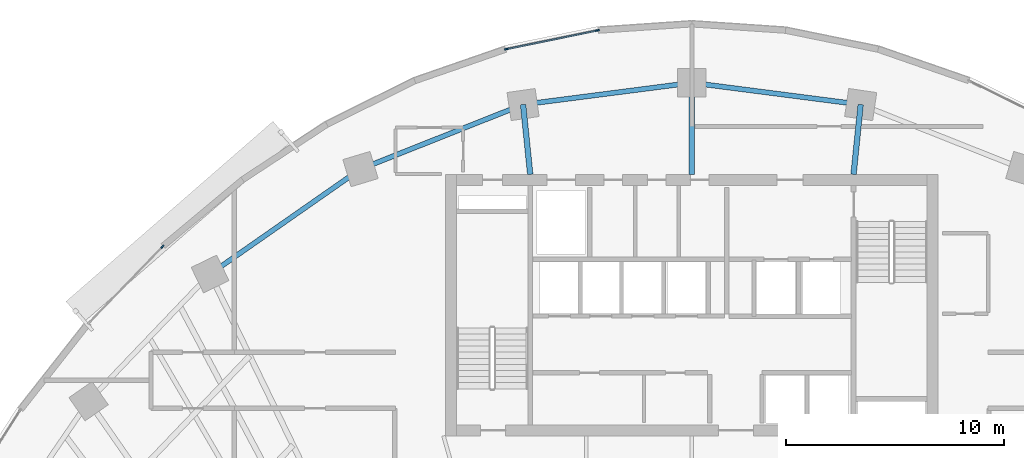
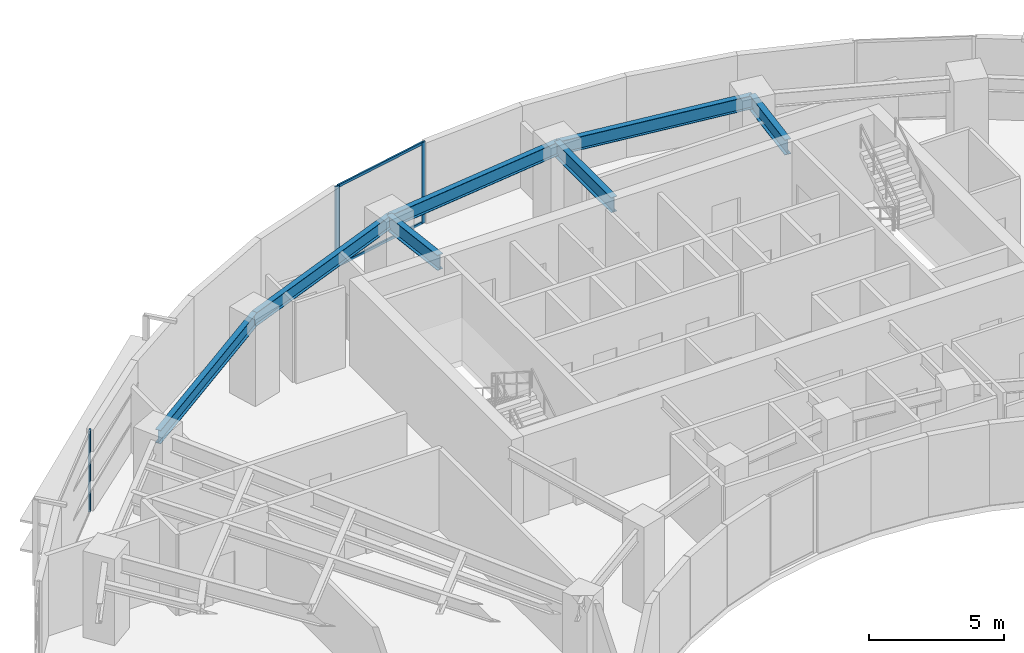
# One storey, part 5 of 14: 7 beams, 5 members, 2 elements without a shape of their own.
"""IFC4 building model written with IfcOpenShell, lengths in metres."""

import ifcopenshell
import ifcopenshell.guid

model = None  # the IFC model being written
_history = None  # IfcOwnerHistory: only IFC2X3 demands one
_inside = {}  # id of a spatial element -> (the spatial element, [elements in it])
_under = {}  # id of a project, library or spatial element -> (it, [spatial elements below it])
_declared = {}  # id of a project -> (the project, [libraries it declares])
_typed = {}  # id of a type object -> (the type object, [elements of that type])
_made_of = {}  # id of a material, layer set ... -> (it, [elements and type objects made of it])


def new_model(schema):
    """Start an empty IFC model of exactly this schema.

    Asked for "IFC4X3", IfcOpenShell would pick the latest addendum, in which some entities
    have other attributes; the version numbers below select the first issue.
    IFC2X3 requires an IfcOwnerHistory on every rooted entity: one is made here for all.
    """
    global model, _history
    if schema == "IFC4X3":
        model = ifcopenshell.file(schema_version=(4, 3, 0, 0))
    else:
        model = ifcopenshell.file(schema=schema)
    _inside.clear()
    _under.clear()
    _declared.clear()
    _typed.clear()
    _made_of.clear()
    _history = None
    if model.schema == "IFC2X3":
        org = make("IfcOrganization", Name="unknown")
        user = make(
            "IfcPersonAndOrganization",
            ThePerson=make("IfcPerson", FamilyName="unknown"),
            TheOrganization=org,
        )
        app = make(
            "IfcApplication",
            ApplicationDeveloper=org,
            Version="unknown",
            ApplicationFullName="unknown",
            ApplicationIdentifier="unknown",
        )
        _history = make(
            "IfcOwnerHistory",
            OwningUser=user,
            OwningApplication=app,
            ChangeAction="ADDED",
            CreationDate=0,
        )
    return model


def make(cls, **values):
    """One entity of the class cls with the attributes given. An attribute that is None is left unset."""
    return model.create_entity(
        cls, **{name: value for name, value in values.items() if value is not None}
    )


def rooted(cls, **values):
    """An entity with a GlobalId (a new one), such as an element, a storey or a relation."""
    return make(cls, GlobalId=ifcopenshell.guid.new(), OwnerHistory=_history, **values)


def si_unit(unit_type, name, prefix=None):
    """IfcSIUnit, for example si_unit("LENGTHUNIT", "METRE", prefix="MILLI")."""
    return make("IfcSIUnit", UnitType=unit_type, Prefix=prefix, Name=name)


def assignment(units):
    """IfcUnitAssignment: the units of a project."""
    return None if units is None else make("IfcUnitAssignment", Units=units)


def point(xyz):
    """IfcCartesianPoint."""
    return None if xyz is None else make("IfcCartesianPoint", Coordinates=xyz)


def direction(xyz):
    """IfcDirection."""
    return None if xyz is None else make("IfcDirection", DirectionRatios=xyz)


def frame(location, z_axis=None, x_axis=None):
    """IfcAxis2Placement3D, a coordinate frame: its origin and axes. An axis left out is left unset."""
    return make(
        "IfcAxis2Placement3D",
        Location=point(location),
        Axis=direction(z_axis),
        RefDirection=direction(x_axis),
    )


def frame_2d(location, x_axis=None):
    """IfcAxis2Placement2D, a coordinate frame in the plane: its origin and x axis."""
    return make(
        "IfcAxis2Placement2D", Location=point(location), RefDirection=direction(x_axis)
    )


def origin():
    """The frame at (0, 0, 0) with its axes left unset."""
    return frame((0.0, 0.0, 0.0))


def origin_2d():
    """The frame at (0, 0) in the plane with its x axis left unset."""
    return frame_2d((0.0, 0.0))


def place(relative_to, where):
    """IfcLocalPlacement: puts the frame where relative to a parent placement (None: the world)."""
    return make(
        "IfcLocalPlacement", PlacementRelTo=relative_to, RelativePlacement=where
    )


def context(
    kind, dimensions, precision=None, world=None, true_north=None, identifier=None
):
    """IfcGeometricRepresentationContext, for example the 3D "Model" context."""
    return make(
        "IfcGeometricRepresentationContext",
        ContextIdentifier=identifier,
        ContextType=kind,
        CoordinateSpaceDimension=dimensions,
        Precision=precision,
        WorldCoordinateSystem=world,
        TrueNorth=true_north,
    )


def subcontext(parent, identifier, kind, view, scale=None):
    """IfcGeometricRepresentationSubContext, for example "Body" below "Model"."""
    return make(
        "IfcGeometricRepresentationSubContext",
        ContextIdentifier=identifier,
        ContextType=kind,
        ParentContext=parent,
        TargetScale=scale,
        TargetView=view,
    )


def project(units=None, contexts=None):
    """IfcProject with its units and contexts."""
    return rooted(
        "IfcProject",
        Name="project",
        RepresentationContexts=contexts,
        UnitsInContext=assignment(units),
    )


def spatial(cls, under=None, at=None, **own):
    """A site, building, storey or space (cls), placed at a placement, below another one or the project."""
    s = rooted(cls, ObjectPlacement=at, **own)
    if under is not None:
        _under.setdefault(under.id(), (under, []))[1].append(s)
    return s


def profile(cls, at=None, kind="AREA", **sizes):
    """A parametric profile (cls). Its sizes go by their IFC names, for example OverallWidth=200.0."""
    return make(cls, ProfileType=kind, Position=at, **sizes)


def rectangle(**sizes):
    """IfcRectangleProfileDef."""
    return profile("IfcRectangleProfileDef", **sizes)


def i_section(**sizes):
    """IfcIShapeProfileDef."""
    return profile("IfcIShapeProfileDef", **sizes)


def extrude(swept, where, along, depth):
    """IfcExtrudedAreaSolid: the profile swept, set in the frame where, extruded along a direction by depth."""
    return make(
        "IfcExtrudedAreaSolid",
        SweptArea=swept,
        Position=where,
        ExtrudedDirection=direction(along),
        Depth=depth,
    )


def shape(context_of_items, identifier, shape_type, items):
    """IfcShapeRepresentation: the items that make up one representation, for example the "Body"."""
    return make(
        "IfcShapeRepresentation",
        ContextOfItems=context_of_items,
        RepresentationIdentifier=identifier,
        RepresentationType=shape_type,
        Items=items,
    )


def source(mapping_origin, context_of_items, identifier, shape_type, items):
    """IfcRepresentationMap: a shape defined once, which mapped items show again and again."""
    return make(
        "IfcRepresentationMap",
        MappingOrigin=mapping_origin,
        MappedRepresentation=shape(context_of_items, identifier, shape_type, items),
    )


def transform(
    local_origin,
    x_axis=None,
    y_axis=None,
    z_axis=None,
    scale=None,
    scale2=None,
    scale3=None,
    uniform=True,
):
    """IfcCartesianTransformationOperator3D, or its non-uniform kind. x_axis, y_axis, z_axis: its Axis1, 2, 3."""
    if uniform:
        return make(
            "IfcCartesianTransformationOperator3D",
            Axis1=direction(x_axis),
            Axis2=direction(y_axis),
            LocalOrigin=point(local_origin),
            Scale=scale,
            Axis3=direction(z_axis),
        )
    return make(
        "IfcCartesianTransformationOperator3DnonUniform",
        Axis1=direction(x_axis),
        Axis2=direction(y_axis),
        LocalOrigin=point(local_origin),
        Scale=scale,
        Axis3=direction(z_axis),
        Scale2=scale2,
        Scale3=scale3,
    )


def mapped(mapping_source, mapping_target):
    """IfcMappedItem: shows the shape of a source again, moved by a transform."""
    return make(
        "IfcMappedItem", MappingSource=mapping_source, MappingTarget=mapping_target
    )


def material(Name=None, Category=None):
    """IfcMaterial."""
    return make("IfcMaterial", Name=Name, Category=Category)


def layer(
    of_material, thickness, ventilated=None, Name=None, Category=None, Priority=None
):
    """IfcMaterialLayer: one layer of a wall or slab, of a material (None: an air gap)."""
    return make(
        "IfcMaterialLayer",
        Material=of_material,
        LayerThickness=thickness,
        IsVentilated=ventilated,
        Name=Name,
        Category=Category,
        Priority=Priority,
    )


def layer_set(layers, Name=None):
    """IfcMaterialLayerSet."""
    return make("IfcMaterialLayerSet", MaterialLayers=layers, LayerSetName=Name)


def material_profile(
    of_material, cross_section, Name=None, Category=None, Priority=None
):
    """IfcMaterialProfile: a cross section and its material."""
    return make(
        "IfcMaterialProfile",
        Name=Name,
        Material=of_material,
        Profile=cross_section,
        Priority=Priority,
        Category=Category,
    )


def profile_set(profiles, Name=None, composite=None):
    """IfcMaterialProfileSet."""
    return make(
        "IfcMaterialProfileSet",
        Name=Name,
        MaterialProfiles=profiles,
        CompositeProfile=composite,
    )


def made_of(thing, what):
    """Note that an element or type object is made of a material, layer set ...; save() writes the relation."""
    if what is not None:
        _made_of.setdefault(what.id(), (what, []))[1].append(thing)
    return thing


def type_object(cls, material=None, **own):
    """A type object (cls), such as IfcWallType, which elements share."""
    return made_of(rooted(cls, **own), material)


def element(
    cls,
    number,
    at=None,
    inside=None,
    cuts=None,
    type_object=None,
    material=None,
    context=None,
    identifier="Body",
    shape_type=None,
    held_by="IfcProductDefinitionShape",
    body=None,
    shapes=None,
    **own,
):
    """One element of the class cls, such as IfcWall. Its Tag is "e" and its number.

    at: its placement. inside: the storey or other place that contains it. cuts: it is an
    opening in that element (IfcRelVoidsElement). A single representation is given by context,
    identifier, shape_type and body (its items); several are given by shapes. held_by: the class
    of the entity that holds the representations. save() writes the other relations.
    """
    e = rooted(cls, Tag="e%d" % number, ObjectPlacement=at, **own)
    if body is not None:
        shapes = [shape(context, identifier, shape_type, body)]
    if shapes is not None:
        e.Representation = make(held_by, Representations=shapes)
    if inside is not None:
        _inside.setdefault(inside.id(), (inside, []))[1].append(e)
    if cuts is not None:
        rooted(
            "IfcRelVoidsElement", RelatingBuildingElement=cuts, RelatedOpeningElement=e
        )
    if type_object is not None:
        _typed.setdefault(type_object.id(), (type_object, []))[1].append(e)
    return made_of(e, material)


def aggregate(whole, parts):
    """IfcRelAggregates: a whole, such as a stair, and the parts it consists of."""
    return rooted("IfcRelAggregates", RelatingObject=whole, RelatedObjects=parts)


def save(model, path):
    """Write the relations noted so far, then the file.

    IfcRelAggregates (storeys below a building ...), IfcRelContainedInSpatialStructure (elements
    in a storey), IfcRelDefinesByType, IfcRelAssociatesMaterial and IfcRelDeclares: one each for
    every whole, place, type object, material and project.
    """
    for whole, parts in _under.values():
        aggregate(whole, parts)
    for where, things in _inside.values():
        rooted(
            "IfcRelContainedInSpatialStructure",
            RelatedElements=things,
            RelatingStructure=where,
        )
    for kind, things in _typed.values():
        rooted("IfcRelDefinesByType", RelatedObjects=things, RelatingType=kind)
    for what, things in _made_of.values():
        rooted("IfcRelAssociatesMaterial", RelatedObjects=things, RelatingMaterial=what)
    for by, libraries in _declared.values():
        rooted("IfcRelDeclares", RelatingContext=by, RelatedDefinitions=libraries)
    model.write(path)


model = new_model("IFC4")

# Units and contexts
model_context = context("Model", 3, precision=1e-05, world=origin(), true_north=direction((0.0, 1.0)))
body_context = subcontext(model_context, "Body", "Model", "MODEL_VIEW")
ifc_project = project(units=[si_unit("LENGTHUNIT", "METRE"), si_unit("AREAUNIT", "SQUARE_METRE"), si_unit("VOLUMEUNIT", "CUBIC_METRE"), si_unit("PLANEANGLEUNIT", "RADIAN"), si_unit("MASSUNIT", "GRAM", prefix="KILO")], contexts=[model_context])

# Site, building, storey
site_placement = place(None, origin())
site = spatial("IfcSite", under=ifc_project, at=site_placement, CompositionType="ELEMENT")
building_placement = place(site_placement, origin())
building = spatial("IfcBuilding", under=site, at=building_placement, Name="Breltana Convention Tower", CompositionType="ELEMENT")
storey_placement = place(building_placement, frame((0.0, 0.0, 111.60009765625)))
storey = spatial("IfcBuildingStorey", under=building, at=storey_placement, Name="L26", CompositionType="ELEMENT", Elevation=111.60009765625)

# Beams
ifc_material_1 = material(Name="Steel ASTM A992 Grade 50", Category="steel")
ifc_material_profile_1 = material_profile(ifc_material_1, i_section(OverallWidth=0.25390625, OverallDepth=0.68798828125, WebThickness=0.01318359375, FlangeThickness=0.02099609375, at=origin_2d()), Name="W27X102")
ifc_profile_set_1 = profile_set([ifc_material_profile_1], Name="Steel ASTM A992 Grade 50")
beam_type_1 = type_object("IfcBeamType", Name="BM-RG-W27X102", PredefinedType="USERDEFINED", material=ifc_profile_set_1)
shared_shape_1 = source(origin(), body_context, "Body", "SweptSolid", [
    extrude(i_section(OverallWidth=0.25390625, OverallDepth=0.68798828125, WebThickness=0.01318359375, FlangeThickness=0.02099609375, at=origin_2d()), origin(), (0.0, 0.0, 1.0), 3.220947265625),
])
for number, where, z_axis, x_axis, name in (
    (1, (40.580078125, 72.199951171875, 3.305908203125), (-0.101492254858, 0.994836329355, 0.0), (-0.994836329355, -0.101492254858, 0.0), "L26 North Core Radial Girder R05"),
    (2, (55.419921875, 72.199951171875, 3.305908203125), (0.101492254858, 0.994836329355, 0.0), (-0.994836329355, 0.101492254858, 0.0), "L26 North Core Radial Girder R07"),
):
    element("IfcBeam", number, at=place(storey_placement, frame(where, z_axis=z_axis, x_axis=x_axis)), inside=storey, type_object=beam_type_1, Name=name, ObjectType="GIRDER", PredefinedType="USERDEFINED", context=body_context, shape_type="MappedRepresentation", body=[
        mapped(shared_shape_1, transform((0.0, 0.0, 0.0), scale=1.0)),
    ])
shared_shape_2 = source(origin(), body_context, "Body", "SweptSolid", [
    extrude(i_section(OverallWidth=0.25390625, OverallDepth=0.68798828125, WebThickness=0.01318359375, FlangeThickness=0.02099609375, at=origin_2d()), origin(), (0.0, 0.0, 1.0), 4.2041015625),
])
beam_1_placement = place(storey_placement, frame((48.0, 72.199951171875, 3.305908203125), z_axis=(0.0, 1.0, 0.0), x_axis=(-1.0, 0.0, 0.0)))
element("IfcBeam", 3, at=beam_1_placement, inside=storey, type_object=beam_type_1, Name="L26 North Core Radial Girder R06", ObjectType="GIRDER", PredefinedType="USERDEFINED", context=body_context, shape_type="MappedRepresentation", body=[
    mapped(shared_shape_2, transform((0.0, 0.0, 0.0), scale=1.0)),
])
ifc_material_profile_2 = material_profile(ifc_material_1, i_section(OverallWidth=0.22802734375, OverallDepth=0.60791015625, WebThickness=0.01123046875, FlangeThickness=0.017333984375, at=origin_2d()), Name="W24X76")
ifc_profile_set_2 = profile_set([ifc_material_profile_2], Name="Steel ASTM A992 Grade 50")
beam_type_2 = type_object("IfcBeamType", Name="BM-SP-W24X76", PredefinedType="SPANDREL", material=ifc_profile_set_2)
shared_shape_3 = source(origin(), body_context, "Body", "SweptSolid", [
    extrude(i_section(OverallWidth=0.22802734375, OverallDepth=0.60791015625, WebThickness=0.01123046875, FlangeThickness=0.017333984375, at=origin_2d()), origin(), (0.0, 0.0, 1.0), 8.4169921875),
])
beam_2_placement = place(storey_placement, frame((25.8876953125, 67.626953125, 3.345947265625), z_axis=(0.820173800102, 0.572114444519, 0.0), x_axis=(-0.572114444519, 0.820173800102, 0.0)))
element("IfcBeam", 4, at=beam_2_placement, inside=storey, type_object=beam_type_2, Name="L26 Outer Spandrel Beam 03", PredefinedType="SPANDREL", context=body_context, shape_type="MappedRepresentation", body=[
    mapped(shared_shape_3, transform((0.0, 0.0, 0.0), scale=1.0)),
])
shared_shape_4 = source(origin(), body_context, "Body", "SweptSolid", [
    extrude(i_section(OverallWidth=0.22802734375, OverallDepth=0.60791015625, WebThickness=0.01123046875, FlangeThickness=0.017333984375, at=origin_2d()), origin(), (0.0, 0.0, 1.0), 8.028564453125),
])
beam_3_placement = place(storey_placement, frame((32.791015625, 72.4423828125, 3.345947265625), z_axis=(0.929459100394, 0.368925169507, 0.0), x_axis=(-0.368925169507, 0.929459100394, 0.0)))
element("IfcBeam", 5, at=beam_3_placement, inside=storey, type_object=beam_type_2, Name="L26 Outer Spandrel Beam 04", PredefinedType="SPANDREL", context=body_context, shape_type="MappedRepresentation", body=[
    mapped(shared_shape_4, transform((0.0, 0.0, 0.0), scale=1.0)),
])
shared_shape_5 = source(origin(), body_context, "Body", "SweptSolid", [
    extrude(i_section(OverallWidth=0.22802734375, OverallDepth=0.60791015625, WebThickness=0.01123046875, FlangeThickness=0.017333984375, at=origin_2d()), origin(), (0.0, 0.0, 1.0), 7.81103515625),
])
for number, where, z_axis, x_axis, name in (
    (6, (40.253173828125, 75.404296875, 3.345947265625), (0.991775179127, 0.127992164083, 0.0), (-0.127992164083, 0.991775179127, 0.0), "L26 Outer Spandrel Beam 05"),
    (7, (48.0, 76.404052734375, 3.345947265625), (0.991775179127, -0.127992164083, 0.0), (0.127992164083, 0.991775179127, 0.0), "L26 Outer Spandrel Beam 06"),
):
    element("IfcBeam", number, at=place(storey_placement, frame(where, z_axis=z_axis, x_axis=x_axis)), inside=storey, type_object=beam_type_2, Name=name, PredefinedType="SPANDREL", context=body_context, shape_type="MappedRepresentation", body=[
        mapped(shared_shape_5, transform((0.0, 0.0, 0.0), scale=1.0)),
    ])

# Curtain wall, member
ifc_material_2 = material(Name="Aluminium Anodised Bronze Frame", Category="aluminium")
ifc_layer = layer(ifc_material_2, 0.22998046875, Name="Aluminium Anodised Bronze Frame")
ifc_layer_set = layer_set([ifc_layer], Name="Aluminium Anodised Bronze Frame")
curtain_wall_type = type_object("IfcCurtainWallType", Name="CW-SYS-5", PredefinedType="NOTDEFINED", material=ifc_layer_set)
curtain_wall_1_placement = place(storey_placement, origin())
curtain_wall_1 = element("IfcCurtainWall", 8, at=curtain_wall_1_placement, inside=storey, type_object=curtain_wall_type, Name="L26 outer double-skin inner glazing 2", PredefinedType="NOTDEFINED")
ifc_material_3 = material(Name="Aluminium Anodised Bronze", Category="aluminium")
ifc_material_profile_3 = material_profile(ifc_material_3, rectangle(XDim=0.070068359375, YDim=0.175048828125, at=origin_2d()), Name="CWM-70X175")
ifc_profile_set_3 = profile_set([ifc_material_profile_3], Name="Aluminium Anodised Bronze")
member_type_1 = type_object("IfcMemberType", Name="CWM-175", PredefinedType="MULLION", material=ifc_profile_set_3)
shared_shape_6 = source(origin(), body_context, "Body", "SweptSolid", [
    extrude(rectangle(XDim=0.070068359375, YDim=0.175048828125, at=origin_2d()), origin(), (0.0, 0.0, 1.0), 3.64990234375),
])
member_1_placement = place(storey_placement, frame((23.700439453125, 68.88232421875, 0.0), z_axis=(0.0, 0.0, 1.0), x_axis=(-0.719384961558, 0.694611601605, 0.0)))
member_1 = element("IfcMember", 9, at=member_1_placement, type_object=member_type_1, Name="CW-05 mullion 2", PredefinedType="MULLION", context=body_context, shape_type="MappedRepresentation", body=[
    mapped(shared_shape_6, transform((0.0, 0.0, 0.0), scale=1.0)),
])
aggregate(curtain_wall_1, [member_1])

# Curtain wall, members
curtain_wall_2_placement = place(storey_placement, origin())
curtain_wall_2 = element("IfcCurtainWall", 10, at=curtain_wall_2_placement, inside=storey, type_object=curtain_wall_type, Name="L26 outer double-skin inner glazing 3", PredefinedType="NOTDEFINED")
member_2_placement = place(storey_placement, frame((39.486083984375, 77.947998046875, 0.0), z_axis=(0.0, 0.0, 1.0), x_axis=(-0.200858550415, 0.979620254346, 0.0)))
member_2 = element("IfcMember", 11, at=member_2_placement, type_object=member_type_1, Name="CW-05 mullion 1", PredefinedType="MULLION", context=body_context, shape_type="MappedRepresentation", body=[
    mapped(shared_shape_6, transform((0.0, 0.0, 0.0), scale=1.0)),
])
member_3_placement = place(storey_placement, frame((43.669921875, 78.805908203125, 0.0), z_axis=(0.0, 0.0, 1.0), x_axis=(-0.200858550415, 0.979620254346, 0.0)))
member_3 = element("IfcMember", 12, at=member_3_placement, type_object=member_type_1, Name="CW-05 mullion 2", PredefinedType="MULLION", context=body_context, shape_type="MappedRepresentation", body=[
    mapped(shared_shape_6, transform((0.0, 0.0, 0.0), scale=1.0)),
])
ifc_material_profile_4 = material_profile(ifc_material_3, rectangle(XDim=0.070068359375, YDim=0.1201171875, at=origin_2d()), Name="CWT-70X120")
ifc_profile_set_4 = profile_set([ifc_material_profile_4], Name="Aluminium Anodised Bronze")
member_type_2 = type_object("IfcMemberType", Name="CWT-120", PredefinedType="USERDEFINED", material=ifc_profile_set_4)
shared_shape_7 = source(origin(), body_context, "Body", "SweptSolid", [
    extrude(rectangle(XDim=0.070068359375, YDim=0.1201171875, at=origin_2d()), origin(), (0.0, 0.0, 1.0), 4.200927734375),
])
member_4_placement = place(storey_placement, frame((39.520263671875, 77.955078125, 0.034912109375), z_axis=(0.979621469833, 0.200852622196, 0.0), x_axis=(-0.200852622196, 0.979621469833, 0.0)))
member_4 = element("IfcMember", 13, at=member_4_placement, type_object=member_type_2, Name="CW-05 transom 1.1", ObjectType="TRANSOM", PredefinedType="USERDEFINED", context=body_context, shape_type="MappedRepresentation", body=[
    mapped(shared_shape_7, transform((0.0, 0.0, 0.0), scale=1.0)),
])
member_5_placement = place(storey_placement, frame((39.520263671875, 77.955078125, 3.614990234375), z_axis=(0.979621469833, 0.200852622196, 0.0), x_axis=(-0.200852622196, 0.979621469833, 0.0)))
member_5 = element("IfcMember", 14, at=member_5_placement, type_object=member_type_2, Name="CW-05 transom 1.2", ObjectType="TRANSOM", PredefinedType="USERDEFINED", context=body_context, shape_type="MappedRepresentation", body=[
    mapped(shared_shape_7, transform((0.0, 0.0, 0.0), scale=1.0)),
])
aggregate(curtain_wall_2, [member_2, member_3, member_4, member_5])

save(model, "model.ifc")
